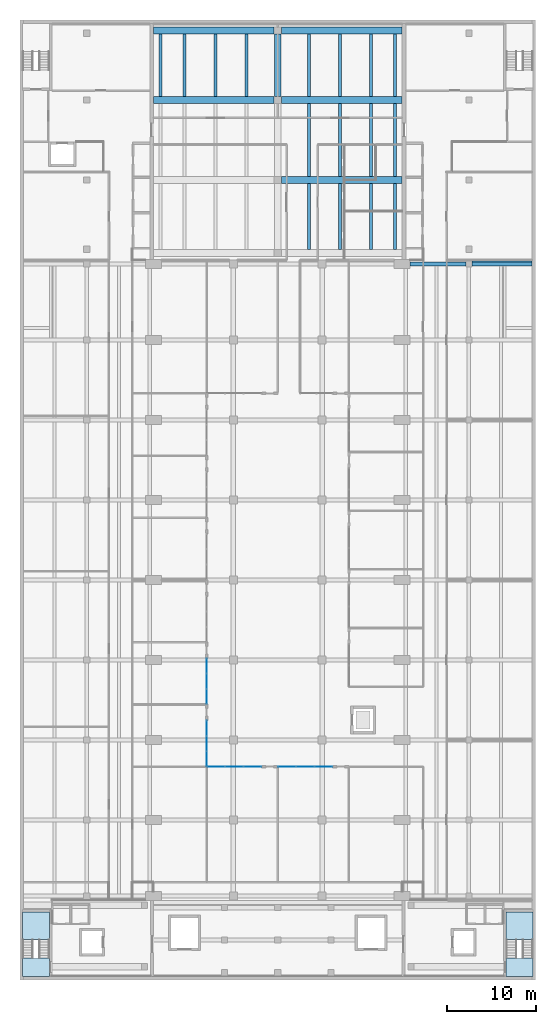
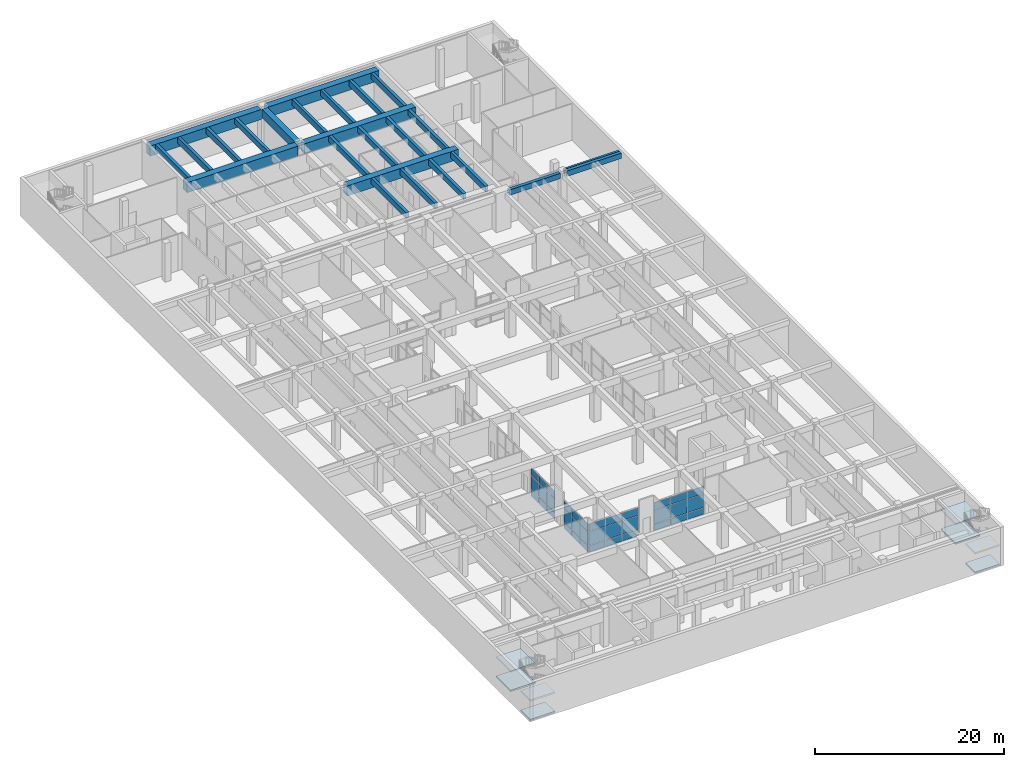
# One storey, part 14 of 29: 36 plates, 25 beams, 8 slabs, 6 elements without a shape of their own.
"""IFC4 building model written with IfcOpenShell, lengths in metres."""

from ifc_helpers import new_model, si_unit, direction, frame, origin, origin_2d, place, context, subcontext, project, spatial, polyline, rectangle, outline, extrude, material, layer, layer_set, material_profile, profile_set, type_object, element, aggregate, save


model = new_model("IFC4")

# Units and contexts
model_context = context("Model", 3, precision=1e-05, world=origin(), true_north=direction((0.0, 1.0)))
body_context = subcontext(model_context, "Body", "Model", "MODEL_VIEW")
ifc_project = project(units=[si_unit("LENGTHUNIT", "METRE"), si_unit("AREAUNIT", "SQUARE_METRE"), si_unit("VOLUMEUNIT", "CUBIC_METRE"), si_unit("PLANEANGLEUNIT", "RADIAN"), si_unit("MASSUNIT", "GRAM", prefix="KILO")], contexts=[model_context])

# Site, building, storey
site_placement = place(None, origin())
site = spatial("IfcSite", under=ifc_project, at=site_placement, CompositionType="ELEMENT")
building_placement = place(site_placement, origin())
building = spatial("IfcBuilding", under=site, at=building_placement, Name="Elmora Arch Market Hall", CompositionType="ELEMENT")
storey_placement = place(building_placement, frame((0.0, 0.0, -5.0)))
storey = spatial("IfcBuildingStorey", under=building, at=storey_placement, Name="LG", CompositionType="ELEMENT", Elevation=-5.0)

# Beams
ifc_material_1 = material(Name="Concrete C32/40", Category="concrete")
ifc_material_profile_1 = material_profile(ifc_material_1, rectangle(XDim=0.800048828125, YDim=1.300048828125, at=origin_2d()), Name="Bridge girder 800x1300")
ifc_profile_set_1 = profile_set([ifc_material_profile_1], Name="Concrete C32/40")
beam_type_1 = type_object("IfcBeamType", Name="Bridge girder 800x1300", PredefinedType="BEAM", material=ifc_profile_set_1)
for number, where, z_axis, x_axis, name in (
    (1, (29.39990234375, 108.0, 4.050048828125), (1.0, 0.0, 0.0), (0.0, 1.0, 0.0), "Bridge girder NR2 LG.2"),
    (2, (15.0, 117.0, 4.050048828125), (1.0, 0.0, 0.0), (0.0, 1.0, 0.0), "Bridge girder NR3 LG.1"),
    (3, (29.39990234375, 117.0, 4.050048828125), (1.0, 0.0, 0.0), (0.0, 1.0, 0.0), "Bridge girder NR3 LG.2"),
    (4, (15.0, 124.800048828125, 4.050048828125), (1.0, 0.0, 0.0), (0.0, 1.0, 0.0), "Bridge girder NR4 LG.1"),
    (5, (29.39990234375, 124.800048828125, 4.050048828125), (1.0, 0.0, 0.0), (0.0, 1.0, 0.0), "Bridge girder NR4 LG.2"),
):
    element("IfcBeam", number, at=place(storey_placement, frame(where, z_axis=z_axis, x_axis=x_axis)), inside=storey, type_object=beam_type_1, Name=name, PredefinedType="BEAM", context=body_context, shape_type="SweptSolid", body=[
        extrude(rectangle(XDim=0.800048828125, YDim=1.300048828125, at=origin_2d()), origin(), (0.0, 0.0, 1.0), 13.60009765625),
    ])
ifc_material_2 = material(Name="Concrete C32/40", Category="concrete")
ifc_material_profile_2 = material_profile(ifc_material_2, rectangle(XDim=0.35009765625, YDim=0.75, at=origin_2d()), Name="Bridge joist 350x750")
ifc_profile_set_2 = profile_set([ifc_material_profile_2], Name="Concrete C32/40")
beam_type_2 = type_object("IfcBeamType", Name="Bridge joist 350x750", PredefinedType="JOIST", material=ifc_profile_set_2)
for number, where, z_axis, x_axis, name in (
    (6, (15.800048828125, 117.39990234375, 4.324951171875), (0.0, 1.0, 0.0), (-1.0, 0.0, 0.0), "Bridge joist NJ1 LG.3"),
    (7, (18.5, 117.39990234375, 4.324951171875), (0.0, 1.0, 0.0), (-1.0, 0.0, 0.0), "Bridge joist NJ2 LG.3"),
    (8, (22.0, 117.39990234375, 4.324951171875), (0.0, 1.0, 0.0), (-1.0, 0.0, 0.0), "Bridge joist NJ3 LG.3"),
    (9, (25.5, 117.39990234375, 4.324951171875), (0.0, 1.0, 0.0), (-1.0, 0.0, 0.0), "Bridge joist NJ4 LG.3"),
):
    element("IfcBeam", number, at=place(storey_placement, frame(where, z_axis=z_axis, x_axis=x_axis)), inside=storey, type_object=beam_type_2, Name=name, PredefinedType="JOIST", context=body_context, shape_type="SweptSolid", body=[
        extrude(rectangle(XDim=0.35009765625, YDim=0.75, at=origin_2d()), origin(), (0.0, 0.0, 1.0), 7.0),
    ])
beam_1_placement = place(storey_placement, frame((32.5, 100.199951171875, 4.324951171875), z_axis=(0.0, 1.0, 0.0), x_axis=(-1.0, 0.0, 0.0)))
element("IfcBeam", 10, at=beam_1_placement, inside=storey, type_object=beam_type_2, Name="Bridge joist NJ5 LG.1", PredefinedType="JOIST", context=body_context, shape_type="SweptSolid", body=[
    extrude(rectangle(XDim=0.35009765625, YDim=0.75, at=origin_2d()), origin(), (0.0, 0.0, 1.0), 7.400146484375),
])
beam_2_placement = place(storey_placement, frame((32.5, 108.39990234375, 4.324951171875), z_axis=(0.0, 1.0, 0.0), x_axis=(-1.0, 0.0, 0.0)))
element("IfcBeam", 11, at=beam_2_placement, inside=storey, type_object=beam_type_2, Name="Bridge joist NJ5 LG.2", PredefinedType="JOIST", context=body_context, shape_type="SweptSolid", body=[
    extrude(rectangle(XDim=0.35009765625, YDim=0.75, at=origin_2d()), origin(), (0.0, 0.0, 1.0), 8.2001953125),
])
beam_3_placement = place(storey_placement, frame((32.5, 117.39990234375, 4.324951171875), z_axis=(0.0, 1.0, 0.0), x_axis=(-1.0, 0.0, 0.0)))
element("IfcBeam", 12, at=beam_3_placement, inside=storey, type_object=beam_type_2, Name="Bridge joist NJ5 LG.3", PredefinedType="JOIST", context=body_context, shape_type="SweptSolid", body=[
    extrude(rectangle(XDim=0.35009765625, YDim=0.75, at=origin_2d()), origin(), (0.0, 0.0, 1.0), 7.0),
])
beam_4_placement = place(storey_placement, frame((36.0, 100.199951171875, 4.324951171875), z_axis=(0.0, 1.0, 0.0), x_axis=(-1.0, 0.0, 0.0)))
element("IfcBeam", 13, at=beam_4_placement, inside=storey, type_object=beam_type_2, Name="Bridge joist NJ6 LG.1", PredefinedType="JOIST", context=body_context, shape_type="SweptSolid", body=[
    extrude(rectangle(XDim=0.35009765625, YDim=0.75, at=origin_2d()), origin(), (0.0, 0.0, 1.0), 7.400146484375),
])
beam_5_placement = place(storey_placement, frame((36.0, 108.39990234375, 4.324951171875), z_axis=(0.0, 1.0, 0.0), x_axis=(-1.0, 0.0, 0.0)))
element("IfcBeam", 14, at=beam_5_placement, inside=storey, type_object=beam_type_2, Name="Bridge joist NJ6 LG.2", PredefinedType="JOIST", context=body_context, shape_type="SweptSolid", body=[
    extrude(rectangle(XDim=0.35009765625, YDim=0.75, at=origin_2d()), origin(), (0.0, 0.0, 1.0), 8.2001953125),
])
beam_6_placement = place(storey_placement, frame((36.0, 117.39990234375, 4.324951171875), z_axis=(0.0, 1.0, 0.0), x_axis=(-1.0, 0.0, 0.0)))
element("IfcBeam", 15, at=beam_6_placement, inside=storey, type_object=beam_type_2, Name="Bridge joist NJ6 LG.3", PredefinedType="JOIST", context=body_context, shape_type="SweptSolid", body=[
    extrude(rectangle(XDim=0.35009765625, YDim=0.75, at=origin_2d()), origin(), (0.0, 0.0, 1.0), 7.0),
])
beam_7_placement = place(storey_placement, frame((39.5, 100.199951171875, 4.324951171875), z_axis=(0.0, 1.0, 0.0), x_axis=(-1.0, 0.0, 0.0)))
element("IfcBeam", 16, at=beam_7_placement, inside=storey, type_object=beam_type_2, Name="Bridge joist NJ7 LG.1", PredefinedType="JOIST", context=body_context, shape_type="SweptSolid", body=[
    extrude(rectangle(XDim=0.35009765625, YDim=0.75, at=origin_2d()), origin(), (0.0, 0.0, 1.0), 7.400146484375),
])
beam_8_placement = place(storey_placement, frame((39.5, 108.39990234375, 4.324951171875), z_axis=(0.0, 1.0, 0.0), x_axis=(-1.0, 0.0, 0.0)))
element("IfcBeam", 17, at=beam_8_placement, inside=storey, type_object=beam_type_2, Name="Bridge joist NJ7 LG.2", PredefinedType="JOIST", context=body_context, shape_type="SweptSolid", body=[
    extrude(rectangle(XDim=0.35009765625, YDim=0.75, at=origin_2d()), origin(), (0.0, 0.0, 1.0), 8.2001953125),
])
beam_9_placement = place(storey_placement, frame((39.5, 117.39990234375, 4.324951171875), z_axis=(0.0, 1.0, 0.0), x_axis=(-1.0, 0.0, 0.0)))
element("IfcBeam", 18, at=beam_9_placement, inside=storey, type_object=beam_type_2, Name="Bridge joist NJ7 LG.3", PredefinedType="JOIST", context=body_context, shape_type="SweptSolid", body=[
    extrude(rectangle(XDim=0.35009765625, YDim=0.75, at=origin_2d()), origin(), (0.0, 0.0, 1.0), 7.0),
])
beam_10_placement = place(storey_placement, frame((42.199951171875, 100.199951171875, 4.324951171875), z_axis=(0.0, 1.0, 0.0), x_axis=(-1.0, 0.0, 0.0)))
element("IfcBeam", 19, at=beam_10_placement, inside=storey, type_object=beam_type_2, Name="Bridge joist NJ8 LG.1", PredefinedType="JOIST", context=body_context, shape_type="SweptSolid", body=[
    extrude(rectangle(XDim=0.35009765625, YDim=0.75, at=origin_2d()), origin(), (0.0, 0.0, 1.0), 7.400146484375),
])
beam_11_placement = place(storey_placement, frame((42.199951171875, 108.39990234375, 4.324951171875), z_axis=(0.0, 1.0, 0.0), x_axis=(-1.0, 0.0, 0.0)))
element("IfcBeam", 20, at=beam_11_placement, inside=storey, type_object=beam_type_2, Name="Bridge joist NJ8 LG.2", PredefinedType="JOIST", context=body_context, shape_type="SweptSolid", body=[
    extrude(rectangle(XDim=0.35009765625, YDim=0.75, at=origin_2d()), origin(), (0.0, 0.0, 1.0), 8.2001953125),
])
beam_12_placement = place(storey_placement, frame((42.199951171875, 117.39990234375, 4.324951171875), z_axis=(0.0, 1.0, 0.0), x_axis=(-1.0, 0.0, 0.0)))
element("IfcBeam", 21, at=beam_12_placement, inside=storey, type_object=beam_type_2, Name="Bridge joist NJ8 LG.3", PredefinedType="JOIST", context=body_context, shape_type="SweptSolid", body=[
    extrude(rectangle(XDim=0.35009765625, YDim=0.75, at=origin_2d()), origin(), (0.0, 0.0, 1.0), 7.0),
])
ifc_material_3 = material(Name="Concrete C32/40", Category="concrete")
ifc_material_profile_3 = material_profile(ifc_material_3, rectangle(XDim=0.699951171875, YDim=1.10009765625, at=origin_2d()), Name="Spine girder 700x1100")
ifc_profile_set_3 = profile_set([ifc_material_profile_3], Name="Concrete C32/40")
beam_type_3 = type_object("IfcBeamType", Name="Spine girder 700x1100", PredefinedType="BEAM", material=ifc_profile_set_3)
beam_13_placement = place(storey_placement, frame((29.0, 117.39990234375, 4.14990234375), z_axis=(0.0, 1.0, 0.0), x_axis=(-1.0, 0.0, 0.0)))
element("IfcBeam", 22, at=beam_13_placement, inside=storey, type_object=beam_type_3, Name="Spine girder NSP LG.3", PredefinedType="BEAM", context=body_context, shape_type="SweptSolid", body=[
    extrude(rectangle(XDim=0.699951171875, YDim=1.10009765625, at=origin_2d()), origin(), (0.0, 0.0, 1.0), 7.0),
])
ifc_material_4 = material(Name="Concrete C32/40", Category="concrete")
ifc_material_profile_4 = material_profile(ifc_material_4, rectangle(XDim=0.25, YDim=0.60009765625, at=origin_2d()), Name="Wall carrier beam 250x600")
ifc_profile_set_4 = profile_set([ifc_material_profile_4], Name="Concrete C32/40")
beam_type_4 = type_object("IfcBeamType", Name="Wall carrier beam 250x600", PredefinedType="BEAM", material=ifc_profile_set_4)
beam_14_placement = place(storey_placement, frame((50.85009765625, 98.875, 4.39990234375), z_axis=(1.0, 0.0, 0.0), x_axis=(0.0, 1.0, 0.0)))
element("IfcBeam", 23, at=beam_14_placement, inside=storey, type_object=beam_type_4, Name="Wall carrier beam WC-ST-EN-N-L00 LG.1", PredefinedType="BEAM", context=body_context, shape_type="SweptSolid", body=[
    extrude(rectangle(XDim=0.25, YDim=0.60009765625, at=origin_2d()), origin(), (0.0, 0.0, 1.0), 6.75),
])
ifc_material_5 = material(Name="Concrete C32/40", Category="concrete")
ifc_material_profile_5 = material_profile(ifc_material_5, rectangle(XDim=0.39990234375, YDim=0.699951171875, at=origin_2d()), Name="Wing beam 400x700")
ifc_profile_set_5 = profile_set([ifc_material_profile_5], Name="Concrete C32/40")
beam_type_5 = type_object("IfcBeamType", Name="Wing beam 400x700", PredefinedType="BEAM", material=ifc_profile_set_5)
beam_15_placement = place(storey_placement, frame((43.89990234375, 98.550048828125, 4.35009765625), z_axis=(1.0, 0.0, 0.0), x_axis=(0.0, 1.0, 0.0)))
element("IfcBeam", 24, at=beam_15_placement, inside=storey, type_object=beam_type_5, Name="Wing beam ER9 LG.1", PredefinedType="BEAM", context=body_context, shape_type="SweptSolid", body=[
    extrude(rectangle(XDim=0.39990234375, YDim=0.699951171875, at=origin_2d()), origin(), (0.0, 0.0, 1.0), 6.25),
])
beam_16_placement = place(storey_placement, frame((50.85009765625, 98.550048828125, 4.35009765625), z_axis=(1.0, 0.0, 0.0), x_axis=(0.0, 1.0, 0.0)))
element("IfcBeam", 25, at=beam_16_placement, inside=storey, type_object=beam_type_5, Name="Wing beam ER9 LG.2", PredefinedType="BEAM", context=body_context, shape_type="SweptSolid", body=[
    extrude(rectangle(XDim=0.39990234375, YDim=0.699951171875, at=origin_2d()), origin(), (0.0, 0.0, 1.0), 6.75),
])

# Curtain wall, plates
ifc_material_6 = material(Name="Aluminium", Category="aluminium")
curtain_wall_type = type_object("IfcCurtainWallType", Name="Lower ground shopfront curtain wall", PredefinedType="NOTDEFINED", material=ifc_material_6)
curtain_wall_1_placement = place(storey_placement, origin())
curtain_wall_1 = element("IfcCurtainWall", 26, at=curtain_wall_1_placement, inside=storey, type_object=curtain_wall_type, Name="Lower ground shopfront W1", PredefinedType="NOTDEFINED")
ifc_material_7 = material(Name="Glass", Category="glass")
ifc_layer_1 = layer(ifc_material_7, 0.028076171875)
ifc_layer_set_1 = layer_set([ifc_layer_1], Name="Glass")
plate_type = type_object("IfcPlateType", Name="Glass panel 28", PredefinedType="CURTAIN_PANEL", material=ifc_layer_set_1)
plate_1_placement = place(storey_placement, frame((21.0, 42.881591796875, 0.06005859375), z_axis=(0.0, 0.0, 1.0), x_axis=(0.0, 1.0, 0.0)))
plate_1 = element("IfcPlate", 27, at=plate_1_placement, type_object=plate_type, Name="CW6 panel 1.1", PredefinedType="CURTAIN_PANEL", context=body_context, shape_type="SweptSolid", body=[
    extrude(rectangle(XDim=1.643310546875, YDim=0.028076171875, at=origin_2d()), origin(), (0.0, 0.0, 1.0), 0.81005859375),
])
plate_2_placement = place(storey_placement, frame((21.0, 42.881591796875, 0.93017578125), z_axis=(0.0, 0.0, 1.0), x_axis=(0.0, 1.0, 0.0)))
plate_2 = element("IfcPlate", 28, at=plate_2_placement, type_object=plate_type, Name="CW6 panel 1.2", PredefinedType="CURTAIN_PANEL", context=body_context, shape_type="SweptSolid", body=[
    extrude(rectangle(XDim=1.643310546875, YDim=0.028076171875, at=origin_2d()), origin(), (0.0, 0.0, 1.0), 1.739990234375),
])
plate_3_placement = place(storey_placement, frame((21.0, 42.881591796875, 2.72998046875), z_axis=(0.0, 0.0, 1.0), x_axis=(0.0, 1.0, 0.0)))
plate_3 = element("IfcPlate", 29, at=plate_3_placement, type_object=plate_type, Name="CW6 panel 1.3", PredefinedType="CURTAIN_PANEL", context=body_context, shape_type="SweptSolid", body=[
    extrude(rectangle(XDim=1.643310546875, YDim=0.028076171875, at=origin_2d()), origin(), (0.0, 0.0, 1.0), 0.9599609375),
])
plate_4_placement = place(storey_placement, frame((21.0, 44.60009765625, 0.06005859375), z_axis=(0.0, 0.0, 1.0), x_axis=(0.0, 1.0, 0.0)))
plate_4 = element("IfcPlate", 30, at=plate_4_placement, type_object=plate_type, Name="CW6 panel 2.1", PredefinedType="CURTAIN_PANEL", context=body_context, shape_type="SweptSolid", body=[
    extrude(rectangle(XDim=1.67333984375, YDim=0.028076171875, at=origin_2d()), origin(), (0.0, 0.0, 1.0), 0.81005859375),
])
plate_5_placement = place(storey_placement, frame((21.0, 44.60009765625, 0.93017578125), z_axis=(0.0, 0.0, 1.0), x_axis=(0.0, 1.0, 0.0)))
plate_5 = element("IfcPlate", 31, at=plate_5_placement, type_object=plate_type, Name="CW6 panel 2.2", PredefinedType="CURTAIN_PANEL", context=body_context, shape_type="SweptSolid", body=[
    extrude(rectangle(XDim=1.67333984375, YDim=0.028076171875, at=origin_2d()), origin(), (0.0, 0.0, 1.0), 1.739990234375),
])
plate_6_placement = place(storey_placement, frame((21.0, 44.60009765625, 2.72998046875), z_axis=(0.0, 0.0, 1.0), x_axis=(0.0, 1.0, 0.0)))
plate_6 = element("IfcPlate", 32, at=plate_6_placement, type_object=plate_type, Name="CW6 panel 2.3", PredefinedType="CURTAIN_PANEL", context=body_context, shape_type="SweptSolid", body=[
    extrude(rectangle(XDim=1.67333984375, YDim=0.028076171875, at=origin_2d()), origin(), (0.0, 0.0, 1.0), 0.9599609375),
])
plate_7_placement = place(storey_placement, frame((21.0, 46.318359375, 0.06005859375), z_axis=(0.0, 0.0, 1.0), x_axis=(0.0, 1.0, 0.0)))
plate_7 = element("IfcPlate", 33, at=plate_7_placement, type_object=plate_type, Name="CW6 panel 3.1", PredefinedType="CURTAIN_PANEL", context=body_context, shape_type="SweptSolid", body=[
    extrude(rectangle(XDim=1.643310546875, YDim=0.028076171875, at=origin_2d()), origin(), (0.0, 0.0, 1.0), 0.81005859375),
])
plate_8_placement = place(storey_placement, frame((21.0, 46.318359375, 0.93017578125), z_axis=(0.0, 0.0, 1.0), x_axis=(0.0, 1.0, 0.0)))
plate_8 = element("IfcPlate", 34, at=plate_8_placement, type_object=plate_type, Name="CW6 panel 3.2", PredefinedType="CURTAIN_PANEL", context=body_context, shape_type="SweptSolid", body=[
    extrude(rectangle(XDim=1.643310546875, YDim=0.028076171875, at=origin_2d()), origin(), (0.0, 0.0, 1.0), 1.739990234375),
])
plate_9_placement = place(storey_placement, frame((21.0, 46.318359375, 2.72998046875), z_axis=(0.0, 0.0, 1.0), x_axis=(0.0, 1.0, 0.0)))
plate_9 = element("IfcPlate", 35, at=plate_9_placement, type_object=plate_type, Name="CW6 panel 3.3", PredefinedType="CURTAIN_PANEL", context=body_context, shape_type="SweptSolid", body=[
    extrude(rectangle(XDim=1.643310546875, YDim=0.028076171875, at=origin_2d()), origin(), (0.0, 0.0, 1.0), 0.9599609375),
])
aggregate(curtain_wall_1, [plate_1, plate_2, plate_3, plate_4, plate_5, plate_6, plate_7, plate_8, plate_9])

curtain_wall_2_placement = place(storey_placement, origin())
curtain_wall_2 = element("IfcCurtainWall", 36, at=curtain_wall_2_placement, inside=storey, type_object=curtain_wall_type, Name="Lower ground shopfront W2", PredefinedType="NOTDEFINED")
plate_10_placement = place(storey_placement, frame((21.0, 49.881591796875, 0.06005859375), z_axis=(0.0, 0.0, 1.0), x_axis=(0.0, 1.0, 0.0)))
plate_10 = element("IfcPlate", 37, at=plate_10_placement, type_object=plate_type, Name="CW6 panel 1.1", PredefinedType="CURTAIN_PANEL", context=body_context, shape_type="SweptSolid", body=[
    extrude(rectangle(XDim=1.643310546875, YDim=0.028076171875, at=origin_2d()), origin(), (0.0, 0.0, 1.0), 0.81005859375),
])
plate_11_placement = place(storey_placement, frame((21.0, 49.881591796875, 0.93017578125), z_axis=(0.0, 0.0, 1.0), x_axis=(0.0, 1.0, 0.0)))
plate_11 = element("IfcPlate", 38, at=plate_11_placement, type_object=plate_type, Name="CW6 panel 1.2", PredefinedType="CURTAIN_PANEL", context=body_context, shape_type="SweptSolid", body=[
    extrude(rectangle(XDim=1.643310546875, YDim=0.028076171875, at=origin_2d()), origin(), (0.0, 0.0, 1.0), 1.739990234375),
])
plate_12_placement = place(storey_placement, frame((21.0, 49.881591796875, 2.72998046875), z_axis=(0.0, 0.0, 1.0), x_axis=(0.0, 1.0, 0.0)))
plate_12 = element("IfcPlate", 39, at=plate_12_placement, type_object=plate_type, Name="CW6 panel 1.3", PredefinedType="CURTAIN_PANEL", context=body_context, shape_type="SweptSolid", body=[
    extrude(rectangle(XDim=1.643310546875, YDim=0.028076171875, at=origin_2d()), origin(), (0.0, 0.0, 1.0), 0.9599609375),
])
plate_13_placement = place(storey_placement, frame((21.0, 51.60009765625, 0.06005859375), z_axis=(0.0, 0.0, 1.0), x_axis=(0.0, 1.0, 0.0)))
plate_13 = element("IfcPlate", 40, at=plate_13_placement, type_object=plate_type, Name="CW6 panel 2.1", PredefinedType="CURTAIN_PANEL", context=body_context, shape_type="SweptSolid", body=[
    extrude(rectangle(XDim=1.67333984375, YDim=0.028076171875, at=origin_2d()), origin(), (0.0, 0.0, 1.0), 0.81005859375),
])
plate_14_placement = place(storey_placement, frame((21.0, 51.60009765625, 0.93017578125), z_axis=(0.0, 0.0, 1.0), x_axis=(0.0, 1.0, 0.0)))
plate_14 = element("IfcPlate", 41, at=plate_14_placement, type_object=plate_type, Name="CW6 panel 2.2", PredefinedType="CURTAIN_PANEL", context=body_context, shape_type="SweptSolid", body=[
    extrude(rectangle(XDim=1.67333984375, YDim=0.028076171875, at=origin_2d()), origin(), (0.0, 0.0, 1.0), 1.739990234375),
])
plate_15_placement = place(storey_placement, frame((21.0, 51.60009765625, 2.72998046875), z_axis=(0.0, 0.0, 1.0), x_axis=(0.0, 1.0, 0.0)))
plate_15 = element("IfcPlate", 42, at=plate_15_placement, type_object=plate_type, Name="CW6 panel 2.3", PredefinedType="CURTAIN_PANEL", context=body_context, shape_type="SweptSolid", body=[
    extrude(rectangle(XDim=1.67333984375, YDim=0.028076171875, at=origin_2d()), origin(), (0.0, 0.0, 1.0), 0.9599609375),
])
plate_16_placement = place(storey_placement, frame((21.0, 53.318359375, 0.06005859375), z_axis=(0.0, 0.0, 1.0), x_axis=(0.0, 1.0, 0.0)))
plate_16 = element("IfcPlate", 43, at=plate_16_placement, type_object=plate_type, Name="CW6 panel 3.1", PredefinedType="CURTAIN_PANEL", context=body_context, shape_type="SweptSolid", body=[
    extrude(rectangle(XDim=1.643310546875, YDim=0.028076171875, at=origin_2d()), origin(), (0.0, 0.0, 1.0), 0.81005859375),
])
plate_17_placement = place(storey_placement, frame((21.0, 53.318359375, 0.93017578125), z_axis=(0.0, 0.0, 1.0), x_axis=(0.0, 1.0, 0.0)))
plate_17 = element("IfcPlate", 44, at=plate_17_placement, type_object=plate_type, Name="CW6 panel 3.2", PredefinedType="CURTAIN_PANEL", context=body_context, shape_type="SweptSolid", body=[
    extrude(rectangle(XDim=1.643310546875, YDim=0.028076171875, at=origin_2d()), origin(), (0.0, 0.0, 1.0), 1.739990234375),
])
plate_18_placement = place(storey_placement, frame((21.0, 53.318359375, 2.72998046875), z_axis=(0.0, 0.0, 1.0), x_axis=(0.0, 1.0, 0.0)))
plate_18 = element("IfcPlate", 45, at=plate_18_placement, type_object=plate_type, Name="CW6 panel 3.3", PredefinedType="CURTAIN_PANEL", context=body_context, shape_type="SweptSolid", body=[
    extrude(rectangle(XDim=1.643310546875, YDim=0.028076171875, at=origin_2d()), origin(), (0.0, 0.0, 1.0), 0.9599609375),
])
aggregate(curtain_wall_2, [plate_10, plate_11, plate_12, plate_13, plate_14, plate_15, plate_16, plate_17, plate_18])

curtain_wall_3_placement = place(storey_placement, origin())
curtain_wall_3 = element("IfcCurtainWall", 46, at=curtain_wall_3_placement, inside=storey, type_object=curtain_wall_type, Name="Lower ground shopfront S1", PredefinedType="NOTDEFINED")
plate_19_placement = place(storey_placement, frame((22.04833984375, 42.0, 0.06005859375), z_axis=(0.0, 0.0, 1.0), x_axis=(1.0, 0.0, 0.0)))
plate_19 = element("IfcPlate", 47, at=plate_19_placement, type_object=plate_type, Name="CW6 panel 1.1", PredefinedType="CURTAIN_PANEL", context=body_context, shape_type="SweptSolid", body=[
    extrude(rectangle(XDim=1.9765625, YDim=0.028076171875, at=origin_2d()), origin(), (0.0, 0.0, 1.0), 0.81005859375),
])
plate_20_placement = place(storey_placement, frame((22.04833984375, 42.0, 0.93017578125), z_axis=(0.0, 0.0, 1.0), x_axis=(1.0, 0.0, 0.0)))
plate_20 = element("IfcPlate", 48, at=plate_20_placement, type_object=plate_type, Name="CW6 panel 1.2", PredefinedType="CURTAIN_PANEL", context=body_context, shape_type="SweptSolid", body=[
    extrude(rectangle(XDim=1.9765625, YDim=0.028076171875, at=origin_2d()), origin(), (0.0, 0.0, 1.0), 1.739990234375),
])
plate_21_placement = place(storey_placement, frame((22.04833984375, 42.0, 2.72998046875), z_axis=(0.0, 0.0, 1.0), x_axis=(1.0, 0.0, 0.0)))
plate_21 = element("IfcPlate", 49, at=plate_21_placement, type_object=plate_type, Name="CW6 panel 1.3", PredefinedType="CURTAIN_PANEL", context=body_context, shape_type="SweptSolid", body=[
    extrude(rectangle(XDim=1.9765625, YDim=0.028076171875, at=origin_2d()), origin(), (0.0, 0.0, 1.0), 0.9599609375),
])
plate_22_placement = place(storey_placement, frame((24.10009765625, 42.0, 0.06005859375), z_axis=(0.0, 0.0, 1.0), x_axis=(1.0, 0.0, 0.0)))
plate_22 = element("IfcPlate", 50, at=plate_22_placement, type_object=plate_type, Name="CW6 panel 2.1", PredefinedType="CURTAIN_PANEL", context=body_context, shape_type="SweptSolid", body=[
    extrude(rectangle(XDim=2.006591796875, YDim=0.028076171875, at=origin_2d()), origin(), (0.0, 0.0, 1.0), 0.81005859375),
])
plate_23_placement = place(storey_placement, frame((24.10009765625, 42.0, 0.93017578125), z_axis=(0.0, 0.0, 1.0), x_axis=(1.0, 0.0, 0.0)))
plate_23 = element("IfcPlate", 51, at=plate_23_placement, type_object=plate_type, Name="CW6 panel 2.2", PredefinedType="CURTAIN_PANEL", context=body_context, shape_type="SweptSolid", body=[
    extrude(rectangle(XDim=2.006591796875, YDim=0.028076171875, at=origin_2d()), origin(), (0.0, 0.0, 1.0), 1.739990234375),
])
plate_24_placement = place(storey_placement, frame((24.10009765625, 42.0, 2.72998046875), z_axis=(0.0, 0.0, 1.0), x_axis=(1.0, 0.0, 0.0)))
plate_24 = element("IfcPlate", 52, at=plate_24_placement, type_object=plate_type, Name="CW6 panel 2.3", PredefinedType="CURTAIN_PANEL", context=body_context, shape_type="SweptSolid", body=[
    extrude(rectangle(XDim=2.006591796875, YDim=0.028076171875, at=origin_2d()), origin(), (0.0, 0.0, 1.0), 0.9599609375),
])
plate_25_placement = place(storey_placement, frame((26.151611328125, 42.0, 0.06005859375), z_axis=(0.0, 0.0, 1.0), x_axis=(1.0, 0.0, 0.0)))
plate_25 = element("IfcPlate", 53, at=plate_25_placement, type_object=plate_type, Name="CW6 panel 3.1", PredefinedType="CURTAIN_PANEL", context=body_context, shape_type="SweptSolid", body=[
    extrude(rectangle(XDim=1.9765625, YDim=0.028076171875, at=origin_2d()), origin(), (0.0, 0.0, 1.0), 0.81005859375),
])
plate_26_placement = place(storey_placement, frame((26.151611328125, 42.0, 0.93017578125), z_axis=(0.0, 0.0, 1.0), x_axis=(1.0, 0.0, 0.0)))
plate_26 = element("IfcPlate", 54, at=plate_26_placement, type_object=plate_type, Name="CW6 panel 3.2", PredefinedType="CURTAIN_PANEL", context=body_context, shape_type="SweptSolid", body=[
    extrude(rectangle(XDim=1.9765625, YDim=0.028076171875, at=origin_2d()), origin(), (0.0, 0.0, 1.0), 1.739990234375),
])
plate_27_placement = place(storey_placement, frame((26.151611328125, 42.0, 2.72998046875), z_axis=(0.0, 0.0, 1.0), x_axis=(1.0, 0.0, 0.0)))
plate_27 = element("IfcPlate", 55, at=plate_27_placement, type_object=plate_type, Name="CW6 panel 3.3", PredefinedType="CURTAIN_PANEL", context=body_context, shape_type="SweptSolid", body=[
    extrude(rectangle(XDim=1.9765625, YDim=0.028076171875, at=origin_2d()), origin(), (0.0, 0.0, 1.0), 0.9599609375),
])
aggregate(curtain_wall_3, [plate_19, plate_20, plate_21, plate_22, plate_23, plate_24, plate_25, plate_26, plate_27])

curtain_wall_4_placement = place(storey_placement, origin())
curtain_wall_4 = element("IfcCurtainWall", 56, at=curtain_wall_4_placement, inside=storey, type_object=curtain_wall_type, Name="Lower ground shopfront S2", PredefinedType="NOTDEFINED")
plate_28_placement = place(storey_placement, frame((30.04833984375, 42.0, 0.06005859375), z_axis=(0.0, 0.0, 1.0), x_axis=(1.0, 0.0, 0.0)))
plate_28 = element("IfcPlate", 57, at=plate_28_placement, type_object=plate_type, Name="CW6 panel 1.1", PredefinedType="CURTAIN_PANEL", context=body_context, shape_type="SweptSolid", body=[
    extrude(rectangle(XDim=1.9765625, YDim=0.028076171875, at=origin_2d()), origin(), (0.0, 0.0, 1.0), 0.81005859375),
])
plate_29_placement = place(storey_placement, frame((30.04833984375, 42.0, 0.93017578125), z_axis=(0.0, 0.0, 1.0), x_axis=(1.0, 0.0, 0.0)))
plate_29 = element("IfcPlate", 58, at=plate_29_placement, type_object=plate_type, Name="CW6 panel 1.2", PredefinedType="CURTAIN_PANEL", context=body_context, shape_type="SweptSolid", body=[
    extrude(rectangle(XDim=1.9765625, YDim=0.028076171875, at=origin_2d()), origin(), (0.0, 0.0, 1.0), 1.739990234375),
])
plate_30_placement = place(storey_placement, frame((30.04833984375, 42.0, 2.72998046875), z_axis=(0.0, 0.0, 1.0), x_axis=(1.0, 0.0, 0.0)))
plate_30 = element("IfcPlate", 59, at=plate_30_placement, type_object=plate_type, Name="CW6 panel 1.3", PredefinedType="CURTAIN_PANEL", context=body_context, shape_type="SweptSolid", body=[
    extrude(rectangle(XDim=1.9765625, YDim=0.028076171875, at=origin_2d()), origin(), (0.0, 0.0, 1.0), 0.9599609375),
])
plate_31_placement = place(storey_placement, frame((32.10009765625, 42.0, 0.06005859375), z_axis=(0.0, 0.0, 1.0), x_axis=(1.0, 0.0, 0.0)))
plate_31 = element("IfcPlate", 60, at=plate_31_placement, type_object=plate_type, Name="CW6 panel 2.1", PredefinedType="CURTAIN_PANEL", context=body_context, shape_type="SweptSolid", body=[
    extrude(rectangle(XDim=2.006591796875, YDim=0.028076171875, at=origin_2d()), origin(), (0.0, 0.0, 1.0), 0.81005859375),
])
plate_32_placement = place(storey_placement, frame((32.10009765625, 42.0, 0.93017578125), z_axis=(0.0, 0.0, 1.0), x_axis=(1.0, 0.0, 0.0)))
plate_32 = element("IfcPlate", 61, at=plate_32_placement, type_object=plate_type, Name="CW6 panel 2.2", PredefinedType="CURTAIN_PANEL", context=body_context, shape_type="SweptSolid", body=[
    extrude(rectangle(XDim=2.006591796875, YDim=0.028076171875, at=origin_2d()), origin(), (0.0, 0.0, 1.0), 1.739990234375),
])
plate_33_placement = place(storey_placement, frame((32.10009765625, 42.0, 2.72998046875), z_axis=(0.0, 0.0, 1.0), x_axis=(1.0, 0.0, 0.0)))
plate_33 = element("IfcPlate", 62, at=plate_33_placement, type_object=plate_type, Name="CW6 panel 2.3", PredefinedType="CURTAIN_PANEL", context=body_context, shape_type="SweptSolid", body=[
    extrude(rectangle(XDim=2.006591796875, YDim=0.028076171875, at=origin_2d()), origin(), (0.0, 0.0, 1.0), 0.9599609375),
])
plate_34_placement = place(storey_placement, frame((34.151611328125, 42.0, 0.06005859375), z_axis=(0.0, 0.0, 1.0), x_axis=(1.0, 0.0, 0.0)))
plate_34 = element("IfcPlate", 63, at=plate_34_placement, type_object=plate_type, Name="CW6 panel 3.1", PredefinedType="CURTAIN_PANEL", context=body_context, shape_type="SweptSolid", body=[
    extrude(rectangle(XDim=1.9765625, YDim=0.028076171875, at=origin_2d()), origin(), (0.0, 0.0, 1.0), 0.81005859375),
])
plate_35_placement = place(storey_placement, frame((34.151611328125, 42.0, 0.93017578125), z_axis=(0.0, 0.0, 1.0), x_axis=(1.0, 0.0, 0.0)))
plate_35 = element("IfcPlate", 64, at=plate_35_placement, type_object=plate_type, Name="CW6 panel 3.2", PredefinedType="CURTAIN_PANEL", context=body_context, shape_type="SweptSolid", body=[
    extrude(rectangle(XDim=1.9765625, YDim=0.028076171875, at=origin_2d()), origin(), (0.0, 0.0, 1.0), 1.739990234375),
])
plate_36_placement = place(storey_placement, frame((34.151611328125, 42.0, 2.72998046875), z_axis=(0.0, 0.0, 1.0), x_axis=(1.0, 0.0, 0.0)))
plate_36 = element("IfcPlate", 65, at=plate_36_placement, type_object=plate_type, Name="CW6 panel 3.3", PredefinedType="CURTAIN_PANEL", context=body_context, shape_type="SweptSolid", body=[
    extrude(rectangle(XDim=1.9765625, YDim=0.028076171875, at=origin_2d()), origin(), (0.0, 0.0, 1.0), 0.9599609375),
])
aggregate(curtain_wall_4, [plate_28, plate_29, plate_30, plate_31, plate_32, plate_33, plate_34, plate_35, plate_36])

# Stair, slabs
ifc_material_8 = material(Name="Concrete C40/50", Category="concrete")
stair_type = type_object("IfcStairType", Name="Exit stair 1200", PredefinedType="TWO_STRAIGHT_RUN_STAIR", material=ifc_material_8)
stair_1_placement = place(storey_placement, origin())
stair_1 = element("IfcStair", 66, at=stair_1_placement, inside=storey, type_object=stair_type, Name="Stair ST-WS LG", PredefinedType="TWO_STRAIGHT_RUN_STAIR")
ifc_material_9 = material(Name="Concrete C32/40", Category="concrete")
ifc_layer_2 = layer(ifc_material_9, 0.199951171875)
ifc_layer_set_2 = layer_set([ifc_layer_2], Name="Concrete C32/40")
slab_type = type_object("IfcSlabType", Name="Stair landing 200", PredefinedType="LANDING", material=ifc_layer_set_2)
slab_1_placement = place(storey_placement, frame((0.0, 0.0, -0.199951171875)))
slab_1 = element("IfcSlab", 67, at=slab_1_placement, type_object=slab_type, Name="Stair ST-WS LG landing 1", PredefinedType="LANDING", context=body_context, shape_type="SweptSolid", body=[
    extrude(outline(polyline([(0.300048828125, 18.39990234375), (3.300048828125, 18.39990234375), (3.300048828125, 20.449951171875), (0.300048828125, 20.449951171875), (0.300048828125, 18.39990234375)])), origin(), (0.0, 0.0, 1.0), 0.199951171875),
])
slab_2_placement = place(storey_placement, frame((0.0, 0.0, 1.050048828125)))
slab_2 = element("IfcSlab", 68, at=slab_2_placement, type_object=slab_type, Name="Stair ST-WS LG landing 2", PredefinedType="LANDING", context=body_context, shape_type="SweptSolid", body=[
    extrude(outline(polyline([(0.300048828125, 22.550048828125), (3.300048828125, 22.550048828125), (3.300048828125, 25.64990234375), (0.300048828125, 25.64990234375), (0.300048828125, 22.550048828125)])), origin(), (0.0, 0.0, 1.0), 0.199951171875),
])
slab_3_placement = place(storey_placement, frame((0.0, 0.0, 2.300048828125)))
slab_3 = element("IfcSlab", 69, at=slab_3_placement, type_object=slab_type, Name="Stair ST-WS LG landing 3", PredefinedType="LANDING", context=body_context, shape_type="SweptSolid", body=[
    extrude(outline(polyline([(0.300048828125, 18.39990234375), (3.300048828125, 18.39990234375), (3.300048828125, 20.449951171875), (0.300048828125, 20.449951171875), (0.300048828125, 18.39990234375)])), origin(), (0.0, 0.0, 1.0), 0.199951171875),
])
slab_4_placement = place(storey_placement, frame((0.0, 0.0, 3.550048828125)))
slab_4 = element("IfcSlab", 70, at=slab_4_placement, type_object=slab_type, Name="Stair ST-WS LG landing 4", PredefinedType="LANDING", context=body_context, shape_type="SweptSolid", body=[
    extrude(outline(polyline([(0.300048828125, 22.550048828125), (3.300048828125, 22.550048828125), (3.300048828125, 25.64990234375), (0.300048828125, 25.64990234375), (0.300048828125, 22.550048828125)])), origin(), (0.0, 0.0, 1.0), 0.199951171875),
])
aggregate(stair_1, [slab_1, slab_2, slab_3, slab_4])

stair_2_placement = place(storey_placement, origin())
stair_2 = element("IfcStair", 71, at=stair_2_placement, inside=storey, type_object=stair_type, Name="Stair ST-ES LG", PredefinedType="TWO_STRAIGHT_RUN_STAIR")
slab_5_placement = place(storey_placement, frame((0.0, 0.0, -0.199951171875)))
slab_5 = element("IfcSlab", 72, at=slab_5_placement, type_object=slab_type, Name="Stair ST-ES LG landing 1", PredefinedType="LANDING", context=body_context, shape_type="SweptSolid", body=[
    extrude(outline(polyline([(54.699951171875, 18.39990234375), (57.699951171875, 18.39990234375), (57.699951171875, 20.449951171875), (54.699951171875, 20.449951171875), (54.699951171875, 18.39990234375)])), origin(), (0.0, 0.0, 1.0), 0.199951171875),
])
slab_6_placement = place(storey_placement, frame((0.0, 0.0, 1.050048828125)))
slab_6 = element("IfcSlab", 73, at=slab_6_placement, type_object=slab_type, Name="Stair ST-ES LG landing 2", PredefinedType="LANDING", context=body_context, shape_type="SweptSolid", body=[
    extrude(outline(polyline([(54.699951171875, 22.550048828125), (57.699951171875, 22.550048828125), (57.699951171875, 25.64990234375), (54.699951171875, 25.64990234375), (54.699951171875, 22.550048828125)])), origin(), (0.0, 0.0, 1.0), 0.199951171875),
])
slab_7_placement = place(storey_placement, frame((0.0, 0.0, 2.300048828125)))
slab_7 = element("IfcSlab", 74, at=slab_7_placement, type_object=slab_type, Name="Stair ST-ES LG landing 3", PredefinedType="LANDING", context=body_context, shape_type="SweptSolid", body=[
    extrude(outline(polyline([(54.699951171875, 18.39990234375), (57.699951171875, 18.39990234375), (57.699951171875, 20.449951171875), (54.699951171875, 20.449951171875), (54.699951171875, 18.39990234375)])), origin(), (0.0, 0.0, 1.0), 0.199951171875),
])
slab_8_placement = place(storey_placement, frame((0.0, 0.0, 3.550048828125)))
slab_8 = element("IfcSlab", 75, at=slab_8_placement, type_object=slab_type, Name="Stair ST-ES LG landing 4", PredefinedType="LANDING", context=body_context, shape_type="SweptSolid", body=[
    extrude(outline(polyline([(54.699951171875, 22.550048828125), (57.699951171875, 22.550048828125), (57.699951171875, 25.64990234375), (54.699951171875, 25.64990234375), (54.699951171875, 22.550048828125)])), origin(), (0.0, 0.0, 1.0), 0.199951171875),
])
aggregate(stair_2, [slab_5, slab_6, slab_7, slab_8])

save(model, "model.ifc")
